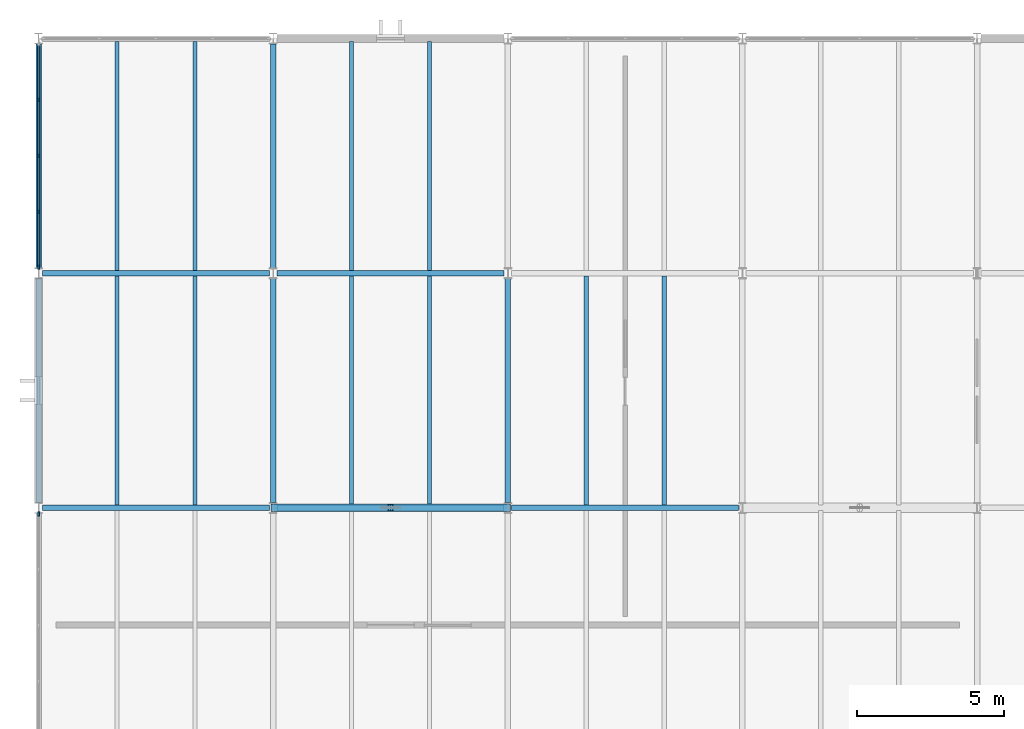
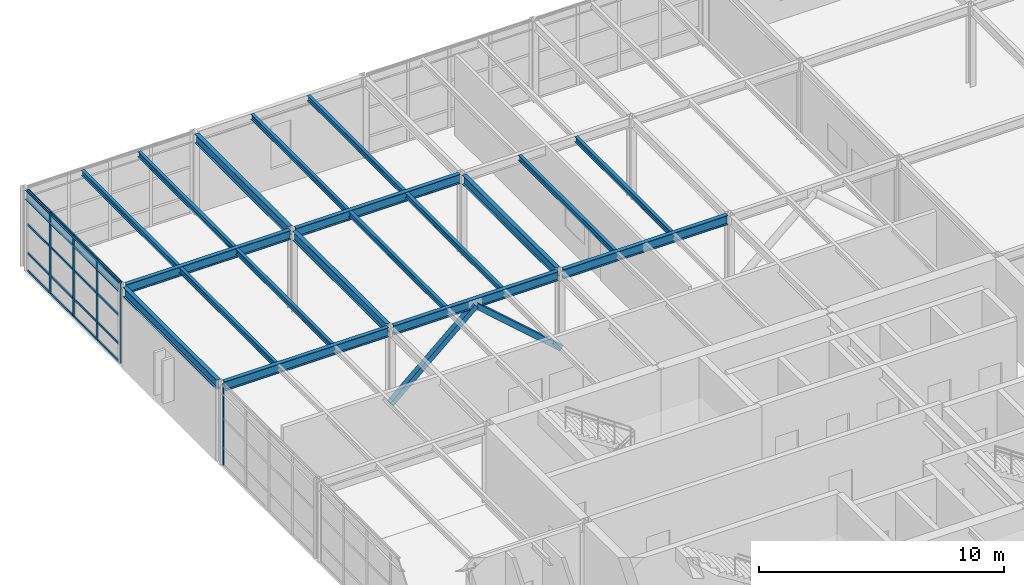
# One storey, part 11 of 21: 23 members, 20 beams, 2 elements without a shape of their own.
"""IFC4 building model written with IfcOpenShell, lengths in metres."""

from ifc_helpers import new_model, si_unit, direction, frame, origin, origin_2d, place, context, subcontext, project, spatial, rectangle, hollow_rectangle, i_section, extrude, material, layer, layer_set, material_profile, profile_set, type_object, element, aggregate, save


model = new_model("IFC4")

# Units and contexts
model_context = context("Model", 3, precision=1e-05, world=origin(), true_north=direction((0.0, 1.0)))
body_context = subcontext(model_context, "Body", "Model", "MODEL_VIEW")
ifc_project = project(units=[si_unit("LENGTHUNIT", "METRE"), si_unit("AREAUNIT", "SQUARE_METRE"), si_unit("VOLUMEUNIT", "CUBIC_METRE"), si_unit("PLANEANGLEUNIT", "RADIAN"), si_unit("MASSUNIT", "GRAM", prefix="KILO")], contexts=[model_context])

# Site, building, storey
site_placement = place(None, origin())
site = spatial("IfcSite", under=ifc_project, at=site_placement, CompositionType="ELEMENT")
building_placement = place(site_placement, origin())
building = spatial("IfcBuilding", under=site, at=building_placement, Name="Varnela Railside Interchange", CompositionType="ELEMENT")
storey_placement = place(building_placement, frame((0.0, 0.0, 23.800048828125)))
storey = spatial("IfcBuildingStorey", under=building, at=storey_placement, Name="L05", CompositionType="ELEMENT", Elevation=23.800048828125)

# Beams
ifc_material_1 = material(Name="Steel AR 350 (350 MPa)", Category="steel")
ifc_material_profile_1 = material_profile(ifc_material_1, i_section(OverallWidth=0.14794921875, OverallDepth=0.26611328125, WebThickness=0.007568359375, FlangeThickness=0.012939453125, at=origin_2d()), Name="W250x44.8")
ifc_profile_set_1 = profile_set([ifc_material_profile_1], Name="Steel AR 350 (350 MPa)")
beam_type_1 = type_object("IfcBeamType", Name="Composite Floor Joist J-05", PredefinedType="JOIST", material=ifc_profile_set_1)
for number, where, z_axis, x_axis, name in (
    (1, (6.669921875, 78.095947265625, 3.886962890625), (0.0, 1.0, 0.0), (-1.0, 0.0, 0.0), "Composite Floor Joist J-05 (L05) (BM-2550)"),
    (2, (9.330078125, 78.095947265625, 3.886962890625), (0.0, 1.0, 0.0), (-1.0, 0.0, 0.0), "Composite Floor Joist J-05 (L05) (BM-2551)"),
    (3, (6.669921875, 86.095947265625, 3.886962890625), (0.0, 1.0, 0.0), (-1.0, 0.0, 0.0), "Composite Floor Joist J-05 (L05) (BM-2540)"),
    (4, (9.330078125, 86.095947265625, 3.886962890625), (0.0, 1.0, 0.0), (-1.0, 0.0, 0.0), "Composite Floor Joist J-05 (L05) (BM-2541)"),
    (5, (14.669921875, 78.095947265625, 3.886962890625), (0.0, 1.0, 0.0), (-1.0, 0.0, 0.0), "Composite Floor Joist J-05 (L05) (BM-2558)"),
    (6, (17.330078125, 78.095947265625, 3.886962890625), (0.0, 1.0, 0.0), (-1.0, 0.0, 0.0), "Composite Floor Joist J-05 (L05) (BM-2559)"),
    (7, (14.669921875, 86.095947265625, 3.886962890625), (0.0, 1.0, 0.0), (-1.0, 0.0, 0.0), "Composite Floor Joist J-05 (L05) (BM-2552)"),
    (8, (17.330078125, 86.095947265625, 3.886962890625), (0.0, 1.0, 0.0), (-1.0, 0.0, 0.0), "Composite Floor Joist J-05 (L05) (BM-2553)"),
    (9, (22.669921875, 78.095947265625, 3.886962890625), (0.0, 1.0, 0.0), (-1.0, 0.0, 0.0), "Composite Floor Joist J-05 (L05) (BM-2566)"),
    (10, (25.330078125, 78.095947265625, 3.886962890625), (0.0, 1.0, 0.0), (-1.0, 0.0, 0.0), "Composite Floor Joist J-05 (L05) (BM-2567)"),
):
    element("IfcBeam", number, at=place(storey_placement, frame(where, z_axis=z_axis, x_axis=x_axis)), inside=storey, type_object=beam_type_1, Name=name, PredefinedType="JOIST", context=body_context, shape_type="SweptSolid", body=[
        extrude(i_section(OverallWidth=0.14794921875, OverallDepth=0.26611328125, WebThickness=0.007568359375, FlangeThickness=0.012939453125, at=origin_2d()), origin(), (0.0, 0.0, 1.0), 7.80810546875),
    ])
ifc_material_profile_2 = material_profile(ifc_material_1, i_section(OverallWidth=0.19189453125, OverallDepth=0.462890625, WebThickness=0.010498046875, FlangeThickness=0.017578125, at=origin_2d()), Name="W460x89")
ifc_profile_set_2 = profile_set([ifc_material_profile_2], Name="Steel AR 350 (350 MPa)")
beam_type_2 = type_object("IfcBeamType", Name="Composite Primary Beam B-20", PredefinedType="BEAM", material=ifc_profile_set_2)
for number, where, z_axis, x_axis, name in (
    (11, (12.12841796875, 78.0, 3.788330078125), (1.0, 0.0, 0.0), (0.0, 1.0, 0.0), "Composite Primary Beam B-20 (L05) (BM-2585)"),
    (12, (20.12841796875, 78.0, 3.788330078125), (1.0, 0.0, 0.0), (0.0, 1.0, 0.0), "Composite Primary Beam B-20 (L05) (BM-2586)"),
    (13, (12.12841796875, 86.0, 3.788330078125), (1.0, 0.0, 0.0), (0.0, 1.0, 0.0), "Composite Primary Beam B-20 (L05) (BM-2591)"),
):
    element("IfcBeam", number, at=place(storey_placement, frame(where, z_axis=z_axis, x_axis=x_axis)), inside=storey, type_object=beam_type_2, Name=name, PredefinedType="BEAM", context=body_context, shape_type="SweptSolid", body=[
        extrude(i_section(OverallWidth=0.19189453125, OverallDepth=0.462890625, WebThickness=0.010498046875, FlangeThickness=0.017578125, at=origin_2d()), origin(), (0.0, 0.0, 1.0), 7.7431640625),
    ])
ifc_material_profile_3 = material_profile(ifc_material_1, i_section(OverallWidth=0.18994140625, OverallDepth=0.45703125, WebThickness=0.009033203125, FlangeThickness=0.014404296875, at=origin_2d()), Name="W460x74")
ifc_profile_set_3 = profile_set([ifc_material_profile_3], Name="Steel AR 350 (350 MPa)")
beam_type_3 = type_object("IfcBeamType", Name="Composite Primary Beam B-21", PredefinedType="BEAM", material=ifc_profile_set_3)
for number, where, z_axis, x_axis, name in (
    (14, (12.0, 78.181396484375, 3.79150390625), (0.0, 1.0, 0.0), (-1.0, 0.0, 0.0), "Composite Primary Beam B-21 (L05) (BM-2611)"),
    (15, (20.0, 78.181396484375, 3.79150390625), (0.0, 1.0, 0.0), (-1.0, 0.0, 0.0), "Composite Primary Beam B-21 (L05) (BM-2615)"),
):
    element("IfcBeam", number, at=place(storey_placement, frame(where, z_axis=z_axis, x_axis=x_axis)), inside=storey, type_object=beam_type_3, Name=name, PredefinedType="BEAM", context=body_context, shape_type="SweptSolid", body=[
        extrude(i_section(OverallWidth=0.18994140625, OverallDepth=0.45703125, WebThickness=0.009033203125, FlangeThickness=0.014404296875, at=origin_2d()), origin(), (0.0, 0.0, 1.0), 7.63720703125),
    ])

# Curtain wall, member
ifc_material_2 = material(Name="Aluminium 6063-T6", Category="aluminium")
ifc_layer = layer(ifc_material_2, 0.035888671875)
ifc_layer_set = layer_set([ifc_layer], Name="Aluminium 6063-T6")
curtain_wall_type = type_object("IfcCurtainWallType", Name="Operations Wing Facade Curtain Wall CW-03", PredefinedType="USERDEFINED", material=ifc_layer_set)
curtain_wall_1_placement = place(storey_placement, origin())
curtain_wall_1 = element("IfcCurtainWall", 16, at=curtain_wall_1_placement, inside=storey, type_object=curtain_wall_type, Name="Curtain Wall CW-03 (L05) (CW-136)", ObjectType="CURTAIN WALL", PredefinedType="USERDEFINED")
ifc_material_profile_4 = material_profile(ifc_material_2, rectangle(XDim=0.06005859375, YDim=0.139892578125, at=origin_2d()), Name="ALU 60x140")
ifc_profile_set_4 = profile_set([ifc_material_profile_4], Name="Aluminium 6063-T6")
member_type_1 = type_object("IfcMemberType", Name="Curtain Wall Mullion ML-01", PredefinedType="MULLION", material=ifc_profile_set_4)
member_1_placement = place(storey_placement, frame((4.0, 77.78857421875, 0.0), z_axis=(0.0, 0.0, 1.0), x_axis=(-1.0, 0.0, 0.0)))
member_1 = element("IfcMember", 17, at=member_1_placement, type_object=member_type_1, Name="CW-03 mullion 5", PredefinedType="MULLION", context=body_context, shape_type="SweptSolid", body=[
    extrude(rectangle(XDim=0.06005859375, YDim=0.139892578125, at=origin_2d()), origin(), (0.0, 0.0, 1.0), 4.02001953125),
])
aggregate(curtain_wall_1, [member_1])

# Curtain wall, members
curtain_wall_2_placement = place(storey_placement, origin())
curtain_wall_2 = element("IfcCurtainWall", 18, at=curtain_wall_2_placement, inside=storey, type_object=curtain_wall_type, Name="Curtain Wall CW-03 (L05) (CW-124)", ObjectType="CURTAIN WALL", PredefinedType="USERDEFINED")
member_2_placement = place(storey_placement, frame((4.0, 86.21142578125, 0.0), z_axis=(0.0, 0.0, 1.0), x_axis=(-1.0, 0.0, 0.0)))
member_2 = element("IfcMember", 19, at=member_2_placement, type_object=member_type_1, Name="CW-03 mullion 1", PredefinedType="MULLION", context=body_context, shape_type="SweptSolid", body=[
    extrude(rectangle(XDim=0.06005859375, YDim=0.139892578125, at=origin_2d()), origin(), (0.0, 0.0, 1.0), 4.02001953125),
])
member_3_placement = place(storey_placement, frame((4.0, 88.0908203125, 0.0), z_axis=(0.0, 0.0, 1.0), x_axis=(-1.0, 0.0, 0.0)))
member_3 = element("IfcMember", 20, at=member_3_placement, type_object=member_type_1, Name="CW-03 mullion 2", PredefinedType="MULLION", context=body_context, shape_type="SweptSolid", body=[
    extrude(rectangle(XDim=0.06005859375, YDim=0.139892578125, at=origin_2d()), origin(), (0.0, 0.0, 1.0), 4.02001953125),
])
member_4_placement = place(storey_placement, frame((4.0, 90.0, 0.0), z_axis=(0.0, 0.0, 1.0), x_axis=(-1.0, 0.0, 0.0)))
member_4 = element("IfcMember", 21, at=member_4_placement, type_object=member_type_1, Name="CW-03 mullion 3", PredefinedType="MULLION", context=body_context, shape_type="SweptSolid", body=[
    extrude(rectangle(XDim=0.06005859375, YDim=0.139892578125, at=origin_2d()), origin(), (0.0, 0.0, 1.0), 4.02001953125),
])
member_5_placement = place(storey_placement, frame((4.0, 91.9091796875, 0.0), z_axis=(0.0, 0.0, 1.0), x_axis=(-1.0, 0.0, 0.0)))
member_5 = element("IfcMember", 22, at=member_5_placement, type_object=member_type_1, Name="CW-03 mullion 4", PredefinedType="MULLION", context=body_context, shape_type="SweptSolid", body=[
    extrude(rectangle(XDim=0.06005859375, YDim=0.139892578125, at=origin_2d()), origin(), (0.0, 0.0, 1.0), 4.02001953125),
])
ifc_material_profile_5 = material_profile(ifc_material_2, rectangle(XDim=0.06005859375, YDim=0.110107421875, at=origin_2d()), Name="ALU 60x110")
ifc_profile_set_5 = profile_set([ifc_material_profile_5], Name="Aluminium 6063-T6")
member_type_2 = type_object("IfcMemberType", Name="Curtain Wall Transom TR-01", PredefinedType="USERDEFINED", material=ifc_profile_set_5)
member_6_placement = place(storey_placement, frame((4.0, 86.241455078125, 0.030029296875), z_axis=(0.0, 1.0, 0.0), x_axis=(-1.0, 0.0, 0.0)))
member_6 = element("IfcMember", 23, at=member_6_placement, type_object=member_type_2, Name="CW-03 transom 1.1", ObjectType="TRANSOM", PredefinedType="USERDEFINED", context=body_context, shape_type="SweptSolid", body=[
    extrude(rectangle(XDim=0.06005859375, YDim=0.110107421875, at=origin_2d()), origin(), (0.0, 0.0, 1.0), 1.8193359375),
])
member_7_placement = place(storey_placement, frame((4.0, 86.241455078125, 0.89990234375), z_axis=(0.0, 1.0, 0.0), x_axis=(-1.0, 0.0, 0.0)))
member_7 = element("IfcMember", 24, at=member_7_placement, type_object=member_type_2, Name="CW-03 transom 1.2", ObjectType="TRANSOM", PredefinedType="USERDEFINED", context=body_context, shape_type="SweptSolid", body=[
    extrude(rectangle(XDim=0.06005859375, YDim=0.110107421875, at=origin_2d()), origin(), (0.0, 0.0, 1.0), 1.8193359375),
])
member_8_placement = place(storey_placement, frame((4.0, 86.241455078125, 2.33154296875), z_axis=(0.0, 1.0, 0.0), x_axis=(-1.0, 0.0, 0.0)))
member_8 = element("IfcMember", 25, at=member_8_placement, type_object=member_type_2, Name="CW-03 transom 1.3", ObjectType="TRANSOM", PredefinedType="USERDEFINED", context=body_context, shape_type="SweptSolid", body=[
    extrude(rectangle(XDim=0.06005859375, YDim=0.110107421875, at=origin_2d()), origin(), (0.0, 0.0, 1.0), 1.8193359375),
])
member_9_placement = place(storey_placement, frame((4.0, 86.241455078125, 3.989990234375), z_axis=(0.0, 1.0, 0.0), x_axis=(-1.0, 0.0, 0.0)))
member_9 = element("IfcMember", 26, at=member_9_placement, type_object=member_type_2, Name="CW-03 transom 1.4", ObjectType="TRANSOM", PredefinedType="USERDEFINED", context=body_context, shape_type="SweptSolid", body=[
    extrude(rectangle(XDim=0.06005859375, YDim=0.110107421875, at=origin_2d()), origin(), (0.0, 0.0, 1.0), 1.8193359375),
])
member_10_placement = place(storey_placement, frame((4.0, 88.120849609375, 0.030029296875), z_axis=(0.0, 1.0, 0.0), x_axis=(-1.0, 0.0, 0.0)))
member_10 = element("IfcMember", 27, at=member_10_placement, type_object=member_type_2, Name="CW-03 transom 2.1", ObjectType="TRANSOM", PredefinedType="USERDEFINED", context=body_context, shape_type="SweptSolid", body=[
    extrude(rectangle(XDim=0.06005859375, YDim=0.110107421875, at=origin_2d()), origin(), (0.0, 0.0, 1.0), 1.84912109375),
])
member_11_placement = place(storey_placement, frame((4.0, 88.120849609375, 0.89990234375), z_axis=(0.0, 1.0, 0.0), x_axis=(-1.0, 0.0, 0.0)))
member_11 = element("IfcMember", 28, at=member_11_placement, type_object=member_type_2, Name="CW-03 transom 2.2", ObjectType="TRANSOM", PredefinedType="USERDEFINED", context=body_context, shape_type="SweptSolid", body=[
    extrude(rectangle(XDim=0.06005859375, YDim=0.110107421875, at=origin_2d()), origin(), (0.0, 0.0, 1.0), 1.84912109375),
])
member_12_placement = place(storey_placement, frame((4.0, 88.120849609375, 2.33154296875), z_axis=(0.0, 1.0, 0.0), x_axis=(-1.0, 0.0, 0.0)))
member_12 = element("IfcMember", 29, at=member_12_placement, type_object=member_type_2, Name="CW-03 transom 2.3", ObjectType="TRANSOM", PredefinedType="USERDEFINED", context=body_context, shape_type="SweptSolid", body=[
    extrude(rectangle(XDim=0.06005859375, YDim=0.110107421875, at=origin_2d()), origin(), (0.0, 0.0, 1.0), 1.84912109375),
])
member_13_placement = place(storey_placement, frame((4.0, 88.120849609375, 3.989990234375), z_axis=(0.0, 1.0, 0.0), x_axis=(-1.0, 0.0, 0.0)))
member_13 = element("IfcMember", 30, at=member_13_placement, type_object=member_type_2, Name="CW-03 transom 2.4", ObjectType="TRANSOM", PredefinedType="USERDEFINED", context=body_context, shape_type="SweptSolid", body=[
    extrude(rectangle(XDim=0.06005859375, YDim=0.110107421875, at=origin_2d()), origin(), (0.0, 0.0, 1.0), 1.84912109375),
])
member_14_placement = place(storey_placement, frame((4.0, 90.030029296875, 0.030029296875), z_axis=(0.0, 1.0, 0.0), x_axis=(-1.0, 0.0, 0.0)))
member_14 = element("IfcMember", 31, at=member_14_placement, type_object=member_type_2, Name="CW-03 transom 3.1", ObjectType="TRANSOM", PredefinedType="USERDEFINED", context=body_context, shape_type="SweptSolid", body=[
    extrude(rectangle(XDim=0.06005859375, YDim=0.110107421875, at=origin_2d()), origin(), (0.0, 0.0, 1.0), 1.84912109375),
])
member_15_placement = place(storey_placement, frame((4.0, 90.030029296875, 0.89990234375), z_axis=(0.0, 1.0, 0.0), x_axis=(-1.0, 0.0, 0.0)))
member_15 = element("IfcMember", 32, at=member_15_placement, type_object=member_type_2, Name="CW-03 transom 3.2", ObjectType="TRANSOM", PredefinedType="USERDEFINED", context=body_context, shape_type="SweptSolid", body=[
    extrude(rectangle(XDim=0.06005859375, YDim=0.110107421875, at=origin_2d()), origin(), (0.0, 0.0, 1.0), 1.84912109375),
])
member_16_placement = place(storey_placement, frame((4.0, 90.030029296875, 2.33154296875), z_axis=(0.0, 1.0, 0.0), x_axis=(-1.0, 0.0, 0.0)))
member_16 = element("IfcMember", 33, at=member_16_placement, type_object=member_type_2, Name="CW-03 transom 3.3", ObjectType="TRANSOM", PredefinedType="USERDEFINED", context=body_context, shape_type="SweptSolid", body=[
    extrude(rectangle(XDim=0.06005859375, YDim=0.110107421875, at=origin_2d()), origin(), (0.0, 0.0, 1.0), 1.84912109375),
])
member_17_placement = place(storey_placement, frame((4.0, 90.030029296875, 3.989990234375), z_axis=(0.0, 1.0, 0.0), x_axis=(-1.0, 0.0, 0.0)))
member_17 = element("IfcMember", 34, at=member_17_placement, type_object=member_type_2, Name="CW-03 transom 3.4", ObjectType="TRANSOM", PredefinedType="USERDEFINED", context=body_context, shape_type="SweptSolid", body=[
    extrude(rectangle(XDim=0.06005859375, YDim=0.110107421875, at=origin_2d()), origin(), (0.0, 0.0, 1.0), 1.84912109375),
])
member_18_placement = place(storey_placement, frame((4.0, 91.939208984375, 0.030029296875), z_axis=(0.0, 1.0, 0.0), x_axis=(-1.0, 0.0, 0.0)))
member_18 = element("IfcMember", 35, at=member_18_placement, type_object=member_type_2, Name="CW-03 transom 4.1", ObjectType="TRANSOM", PredefinedType="USERDEFINED", context=body_context, shape_type="SweptSolid", body=[
    extrude(rectangle(XDim=0.06005859375, YDim=0.110107421875, at=origin_2d()), origin(), (0.0, 0.0, 1.0), 1.8193359375),
])
member_19_placement = place(storey_placement, frame((4.0, 91.939208984375, 0.89990234375), z_axis=(0.0, 1.0, 0.0), x_axis=(-1.0, 0.0, 0.0)))
member_19 = element("IfcMember", 36, at=member_19_placement, type_object=member_type_2, Name="CW-03 transom 4.2", ObjectType="TRANSOM", PredefinedType="USERDEFINED", context=body_context, shape_type="SweptSolid", body=[
    extrude(rectangle(XDim=0.06005859375, YDim=0.110107421875, at=origin_2d()), origin(), (0.0, 0.0, 1.0), 1.8193359375),
])
member_20_placement = place(storey_placement, frame((4.0, 91.939208984375, 2.33154296875), z_axis=(0.0, 1.0, 0.0), x_axis=(-1.0, 0.0, 0.0)))
member_20 = element("IfcMember", 37, at=member_20_placement, type_object=member_type_2, Name="CW-03 transom 4.3", ObjectType="TRANSOM", PredefinedType="USERDEFINED", context=body_context, shape_type="SweptSolid", body=[
    extrude(rectangle(XDim=0.06005859375, YDim=0.110107421875, at=origin_2d()), origin(), (0.0, 0.0, 1.0), 1.8193359375),
])
member_21_placement = place(storey_placement, frame((4.0, 91.939208984375, 3.989990234375), z_axis=(0.0, 1.0, 0.0), x_axis=(-1.0, 0.0, 0.0)))
member_21 = element("IfcMember", 38, at=member_21_placement, type_object=member_type_2, Name="CW-03 transom 4.4", ObjectType="TRANSOM", PredefinedType="USERDEFINED", context=body_context, shape_type="SweptSolid", body=[
    extrude(rectangle(XDim=0.06005859375, YDim=0.110107421875, at=origin_2d()), origin(), (0.0, 0.0, 1.0), 1.8193359375),
])
aggregate(curtain_wall_2, [member_2, member_3, member_4, member_5, member_6, member_7, member_8, member_9, member_10, member_11, member_12, member_13, member_14, member_15, member_16, member_17, member_18, member_19, member_20, member_21])

# Members
ifc_material_profile_6 = material_profile(ifc_material_1, hollow_rectangle(XDim=0.25, YDim=0.25, WallThickness=0.012451171875, at=origin_2d()), Name="HSS 250x250x12.5")
ifc_profile_set_6 = profile_set([ifc_material_profile_6], Name="Steel AR 350 (350 MPa)")
member_type_3 = type_object("IfcMemberType", Name="Lateral Chevron Brace BR-04", PredefinedType="BRACE", material=ifc_profile_set_6)
for number, where, z_axis, x_axis, name in (
    (39, (12.0, 78.0, 0.14990234375), (0.750711699002, 0.0, 0.660629960706), (0.0, 1.0, 0.0), "Lateral Chevron Brace BR-04 (L05) (MB-0172)"),
    (40, (20.0, 78.0, 0.14990234375), (-0.750711699002, 0.0, 0.660629960706), (0.0, -1.0, 0.0), "Lateral Chevron Brace BR-04 (L05) (MB-0173)"),
):
    element("IfcMember", number, at=place(storey_placement, frame(where, z_axis=z_axis, x_axis=x_axis)), inside=storey, type_object=member_type_3, Name=name, PredefinedType="BRACE", context=body_context, shape_type="SweptSolid", body=[
        extrude(hollow_rectangle(XDim=0.25, YDim=0.25, WallThickness=0.012451171875, at=origin_2d()), origin(), (0.0, 0.0, 1.0), 5.328369140625),
    ])

# Beams
ifc_material_profile_7 = material_profile(ifc_material_1, i_section(OverallWidth=0.19091796875, OverallDepth=0.4599609375, WebThickness=0.010009765625, FlangeThickness=0.01611328125, at=origin_2d()), Name="W460x82")
ifc_profile_set_7 = profile_set([ifc_material_profile_7], Name="Steel AR 350 (350 MPa)")
beam_type_4 = type_object("IfcBeamType", Name="Steel Perimeter Spandrel SP-01", PredefinedType="SPANDREL", material=ifc_profile_set_7)
for number, where, z_axis, x_axis, name in (
    (41, (4.12841796875, 78.0, 3.7900390625), (1.0, 0.0, 0.0), (0.0, 1.0, 0.0), "Steel Perimeter Spandrel SP-01 (L05) (BM-2590)"),
    (42, (4.12841796875, 86.0, 3.7900390625), (1.0, 0.0, 0.0), (0.0, 1.0, 0.0), "Steel Perimeter Spandrel SP-01 (L05) (BM-2596)"),
):
    element("IfcBeam", number, at=place(storey_placement, frame(where, z_axis=z_axis, x_axis=x_axis)), inside=storey, type_object=beam_type_4, Name=name, PredefinedType="SPANDREL", context=body_context, shape_type="SweptSolid", body=[
        extrude(i_section(OverallWidth=0.19091796875, OverallDepth=0.4599609375, WebThickness=0.010009765625, FlangeThickness=0.01611328125, at=origin_2d()), origin(), (0.0, 0.0, 1.0), 7.7431640625),
    ])
for number, where, z_axis, x_axis, name in (
    (43, (4.0, 78.181396484375, 3.7900390625), (0.0, 1.0, 0.0), (-1.0, 0.0, 0.0), "Steel Perimeter Spandrel SP-01 (L05) (BM-2607)"),
    (44, (4.0, 86.181396484375, 3.7900390625), (0.0, 1.0, 0.0), (-1.0, 0.0, 0.0), "Steel Perimeter Spandrel SP-01 (L05) (BM-2608)"),
    (45, (12.0, 86.181396484375, 3.7900390625), (0.0, 1.0, 0.0), (-1.0, 0.0, 0.0), "Steel Perimeter Spandrel SP-01 (L05) (BM-2612)"),
):
    element("IfcBeam", number, at=place(storey_placement, frame(where, z_axis=z_axis, x_axis=x_axis)), inside=storey, type_object=beam_type_4, Name=name, PredefinedType="SPANDREL", context=body_context, shape_type="SweptSolid", body=[
        extrude(i_section(OverallWidth=0.19091796875, OverallDepth=0.4599609375, WebThickness=0.010009765625, FlangeThickness=0.01611328125, at=origin_2d()), origin(), (0.0, 0.0, 1.0), 7.63720703125),
    ])

save(model, "model.ifc")
